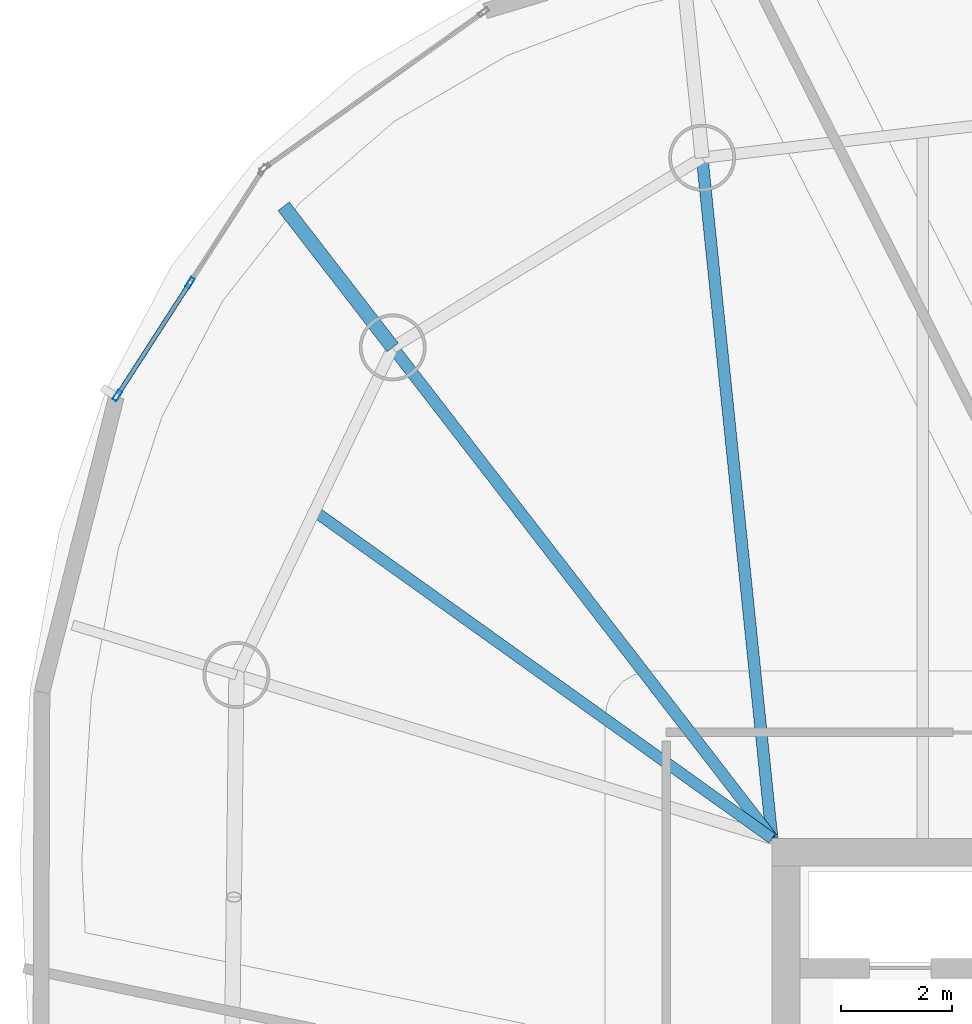
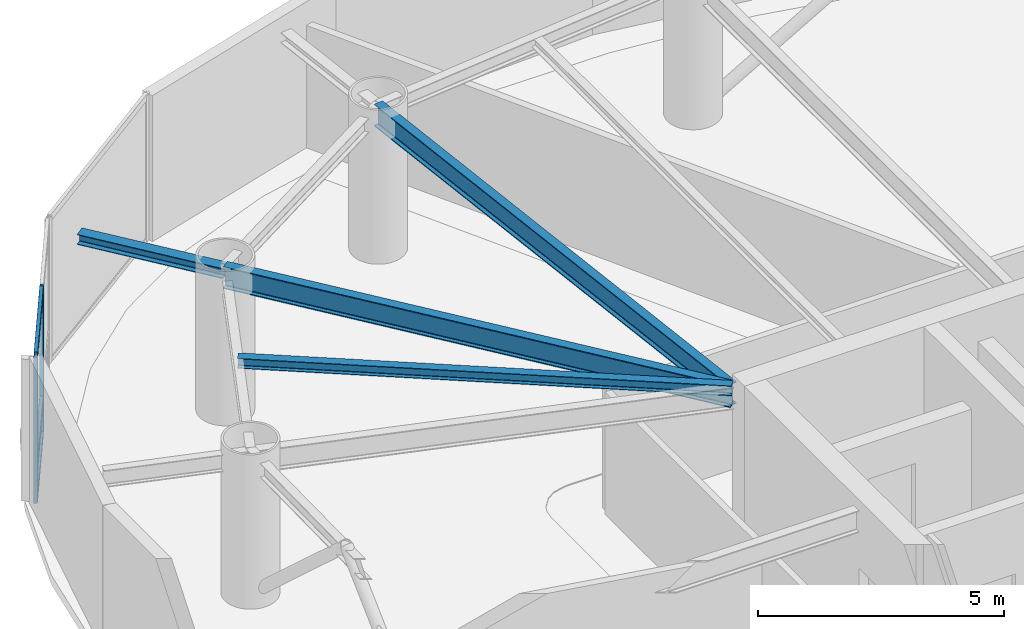
# One storey, part 7 of 18: 5 members, 4 beams, 1 element without a shape of its own.
"""IFC4 building model written with IfcOpenShell, lengths in metres."""

from ifc_helpers import new_model, si_unit, direction, frame, origin, origin_2d, place, context, subcontext, project, spatial, hollow_rectangle, i_section, extrude, material, layer, layer_set, material_profile, profile_set, type_object, element, aggregate, save


model = new_model("IFC4")

# Units and contexts
model_context = context("Model", 3, precision=1e-05, world=origin(), true_north=direction((0.0, 1.0)))
body_context = subcontext(model_context, "Body", "Model", "MODEL_VIEW")
ifc_project = project(units=[si_unit("LENGTHUNIT", "METRE"), si_unit("AREAUNIT", "SQUARE_METRE"), si_unit("VOLUMEUNIT", "CUBIC_METRE"), si_unit("PLANEANGLEUNIT", "RADIAN"), si_unit("MASSUNIT", "GRAM", prefix="KILO")], contexts=[model_context])

# Site, building, storey
site_placement = place(None, origin())
site = spatial("IfcSite", under=ifc_project, at=site_placement, CompositionType="ELEMENT")
building_placement = place(site_placement, origin())
building = spatial("IfcBuilding", under=site, at=building_placement, Name="Bramvorn Convention Spire", CompositionType="ELEMENT")
storey_placement = place(building_placement, frame((0.0, 0.0, 205.85009765625)))
storey = spatial("IfcBuildingStorey", under=building, at=storey_placement, Name="L52", CompositionType="ELEMENT", Elevation=205.85009765625)

# Beams
ifc_material_1 = material(Name="Steel CSA G40.21 Grade 350 (350W)", Category="steel")
ifc_material_profile_1 = material_profile(ifc_material_1, i_section(OverallWidth=0.201904296875, OverallDepth=0.2470703125, WebThickness=0.00732421875, FlangeThickness=0.010986328125, FilletRadius=0.011962890625, at=origin_2d()))
ifc_profile_set_1 = profile_set([ifc_material_profile_1], Name="Steel CSA G40.21 Grade 350 (350W) - W250X49")
beam_type_1 = type_object("IfcBeamType", Name="BM-W250X49", PredefinedType="JOIST", material=ifc_profile_set_1)
beam_1_placement = place(storey_placement, frame((26.75, 33.449951171875, 3.496337890625), z_axis=(-0.813471895271, 0.581604225916, 0.0), x_axis=(-0.581604225916, -0.813471895271, 0.0)))
element("IfcBeam", 1, at=beam_1_placement, inside=storey, type_object=beam_type_1, Name="L52 composite floor joist 09", PredefinedType="JOIST", context=body_context, shape_type="SweptSolid", body=[
    extrude(i_section(OverallWidth=0.201904296875, OverallDepth=0.2470703125, WebThickness=0.00732421875, FlangeThickness=0.010986328125, FilletRadius=0.011962890625, at=origin_2d()), origin(), (0.0, 0.0, 1.0), 10.093505859375),
])
ifc_material_profile_2 = material_profile(ifc_material_1, i_section(OverallWidth=0.25390625, OverallDepth=0.2529296875, WebThickness=0.008544921875, FlangeThickness=0.01416015625, FilletRadius=0.011962890625, at=origin_2d()))
ifc_profile_set_2 = profile_set([ifc_material_profile_2], Name="Steel CSA G40.21 Grade 350 (350W) - W250X73")
beam_type_2 = type_object("IfcBeamType", Name="BM-W250X73", PredefinedType="BEAM", material=ifc_profile_set_2)
beam_2_placement = place(storey_placement, frame((19.941650390625, 42.260009765625, 3.45849609375), z_axis=(-0.611497441422, 0.791246408607, 0.0), x_axis=(-0.791246408607, -0.611497441422, 0.0)))
element("IfcBeam", 2, at=beam_2_placement, inside=storey, type_object=beam_type_2, Name="L52 slab-edge cantilever tip beam MC09", PredefinedType="BEAM", context=body_context, shape_type="SweptSolid", body=[
    extrude(i_section(OverallWidth=0.25390625, OverallDepth=0.2529296875, WebThickness=0.008544921875, FlangeThickness=0.01416015625, FilletRadius=0.011962890625, at=origin_2d()), origin(), (0.0, 0.0, 1.0), 3.199951171875),
])
ifc_material_profile_3 = material_profile(ifc_material_1, i_section(OverallWidth=0.2119140625, OverallDepth=0.5439453125, WebThickness=0.01318359375, FlangeThickness=0.021240234375, FilletRadius=0.01904296875, at=origin_2d()))
ifc_profile_set_3 = profile_set([ifc_material_profile_3], Name="Steel CSA G40.21 Grade 350 (350W) - W530X123")
beam_type_3 = type_object("IfcBeamType", Name="BM-W530X123", PredefinedType="BEAM", material=ifc_profile_set_3)
beam_3_placement = place(storey_placement, frame((26.75, 33.449951171875, 3.347900390625), z_axis=(-0.10216509146, 0.994767457292, 0.0), x_axis=(-0.994767457292, -0.10216509146, 0.0)))
element("IfcBeam", 3, at=beam_3_placement, inside=storey, type_object=beam_type_3, Name="L52 radial floor girder MC08", PredefinedType="BEAM", context=body_context, shape_type="SweptSolid", body=[
    extrude(i_section(OverallWidth=0.2119140625, OverallDepth=0.5439453125, WebThickness=0.01318359375, FlangeThickness=0.021240234375, FilletRadius=0.01904296875, at=origin_2d()), origin(), (0.0, 0.0, 1.0), 12.278076171875),
])
beam_4_placement = place(storey_placement, frame((26.75, 33.449951171875, 3.347900390625), z_axis=(-0.611479951477, 0.791259925019, 0.0), x_axis=(-0.791259925019, -0.611479951477, 0.0)))
element("IfcBeam", 4, at=beam_4_placement, inside=storey, type_object=beam_type_3, Name="L52 radial floor girder MC09", PredefinedType="BEAM", context=body_context, shape_type="SweptSolid", body=[
    extrude(i_section(OverallWidth=0.2119140625, OverallDepth=0.5439453125, WebThickness=0.01318359375, FlangeThickness=0.021240234375, FilletRadius=0.01904296875, at=origin_2d()), origin(), (0.0, 0.0, 1.0), 11.13427734375),
])

# Curtain wall, members
ifc_material_2 = material(Name="Anodised Bronze Unitised Curtain Wall", Category="aluminium")
ifc_layer = layer(ifc_material_2, 0.179931640625)
ifc_layer_set = layer_set([ifc_layer], Name="Anodised Bronze Unitised Curtain Wall - CW-OFF-FRIT")
curtain_wall_type = type_object("IfcCurtainWallType", Name="CW-OFF-FRIT", PredefinedType="USERDEFINED", material=ifc_layer_set)
curtain_wall_placement = place(storey_placement, origin())
curtain_wall = element("IfcCurtainWall", 5, at=curtain_wall_placement, inside=storey, type_object=curtain_wall_type, Name="L52 fritted glass curtain wall 13", ObjectType="UNITISED CURTAIN WALL", PredefinedType="USERDEFINED")
ifc_material_3 = material(Name="Anodised Bronze Aluminium 6063-T6", Category="aluminium")
ifc_material_profile_4 = material_profile(ifc_material_3, hollow_rectangle(XDim=0.080078125, YDim=0.199951171875, WallThickness=0.00390625, InnerFilletRadius=0.0009765625, OuterFilletRadius=0.00390625, at=origin_2d()))
ifc_profile_set_4 = profile_set([ifc_material_profile_4], Name="Anodised Bronze Aluminium 6063-T6 - CWM80X200")
member_type_1 = type_object("IfcMemberType", Name="CW-MUL-180", PredefinedType="MULLION", material=ifc_profile_set_4)
member_1_placement = place(storey_placement, frame((14.999267578125, 41.39697265625, 0.0), z_axis=(0.0, 0.0, 1.0), x_axis=(-0.840257771478, 0.542187124036, 0.0)))
member_1 = element("IfcMember", 6, at=member_1_placement, type_object=member_type_1, Name="CW3 mullion 1", PredefinedType="MULLION", context=body_context, shape_type="SweptSolid", body=[
    extrude(hollow_rectangle(XDim=0.080078125, YDim=0.199951171875, WallThickness=0.00390625, InnerFilletRadius=0.0009765625, OuterFilletRadius=0.00390625, at=origin_2d()), origin(), (0.0, 0.0, 1.0), 3.619873046875),
])
member_2_placement = place(storey_placement, frame((16.304931640625, 43.42041015625, 0.0), z_axis=(0.0, 0.0, 1.0), x_axis=(-0.840257771478, 0.542187124036, 0.0)))
member_2 = element("IfcMember", 7, at=member_2_placement, type_object=member_type_1, Name="CW3 mullion 2", PredefinedType="MULLION", context=body_context, shape_type="SweptSolid", body=[
    extrude(hollow_rectangle(XDim=0.080078125, YDim=0.199951171875, WallThickness=0.00390625, InnerFilletRadius=0.0009765625, OuterFilletRadius=0.00390625, at=origin_2d()), origin(), (0.0, 0.0, 1.0), 3.619873046875),
])
ifc_material_profile_5 = material_profile(ifc_material_3, hollow_rectangle(XDim=0.080078125, YDim=0.159912109375, WallThickness=0.00390625, InnerFilletRadius=0.0009765625, OuterFilletRadius=0.00390625, at=origin_2d()))
ifc_profile_set_5 = profile_set([ifc_material_profile_5], Name="Anodised Bronze Aluminium 6063-T6 - CWT80X160")
member_type_2 = type_object("IfcMemberType", Name="CW-TRN-150", PredefinedType="USERDEFINED", material=ifc_profile_set_5)
member_3_placement = place(storey_placement, frame((15.015380859375, 41.422119140625, 0.02978515625), z_axis=(0.542186070646, 0.840258451191, 0.0), x_axis=(-0.840258451191, 0.542186070646, 0.0)))
member_3 = element("IfcMember", 8, at=member_3_placement, type_object=member_type_2, Name="CW3 transom 1.1", ObjectType="TRANSOM", PredefinedType="USERDEFINED", context=body_context, shape_type="SweptSolid", body=[
    extrude(hollow_rectangle(XDim=0.080078125, YDim=0.159912109375, WallThickness=0.00390625, InnerFilletRadius=0.0009765625, OuterFilletRadius=0.00390625, at=origin_2d()), origin(), (0.0, 0.0, 1.0), 2.34814453125),
])
member_4_placement = place(storey_placement, frame((15.015380859375, 41.422119140625, 0.89990234375), z_axis=(0.542186070646, 0.840258451191, 0.0), x_axis=(-0.840258451191, 0.542186070646, 0.0)))
member_4 = element("IfcMember", 9, at=member_4_placement, type_object=member_type_2, Name="CW3 transom 1.2", ObjectType="TRANSOM", PredefinedType="USERDEFINED", context=body_context, shape_type="SweptSolid", body=[
    extrude(hollow_rectangle(XDim=0.080078125, YDim=0.159912109375, WallThickness=0.00390625, InnerFilletRadius=0.0009765625, OuterFilletRadius=0.00390625, at=origin_2d()), origin(), (0.0, 0.0, 1.0), 2.34814453125),
])
member_5_placement = place(storey_placement, frame((15.015380859375, 41.422119140625, 3.58984375), z_axis=(0.542186070646, 0.840258451191, 0.0), x_axis=(-0.840258451191, 0.542186070646, 0.0)))
member_5 = element("IfcMember", 10, at=member_5_placement, type_object=member_type_2, Name="CW3 transom 1.3", ObjectType="TRANSOM", PredefinedType="USERDEFINED", context=body_context, shape_type="SweptSolid", body=[
    extrude(hollow_rectangle(XDim=0.080078125, YDim=0.159912109375, WallThickness=0.00390625, InnerFilletRadius=0.0009765625, OuterFilletRadius=0.00390625, at=origin_2d()), origin(), (0.0, 0.0, 1.0), 2.34814453125),
])
aggregate(curtain_wall, [member_1, member_2, member_3, member_4, member_5])

save(model, "model.ifc")
